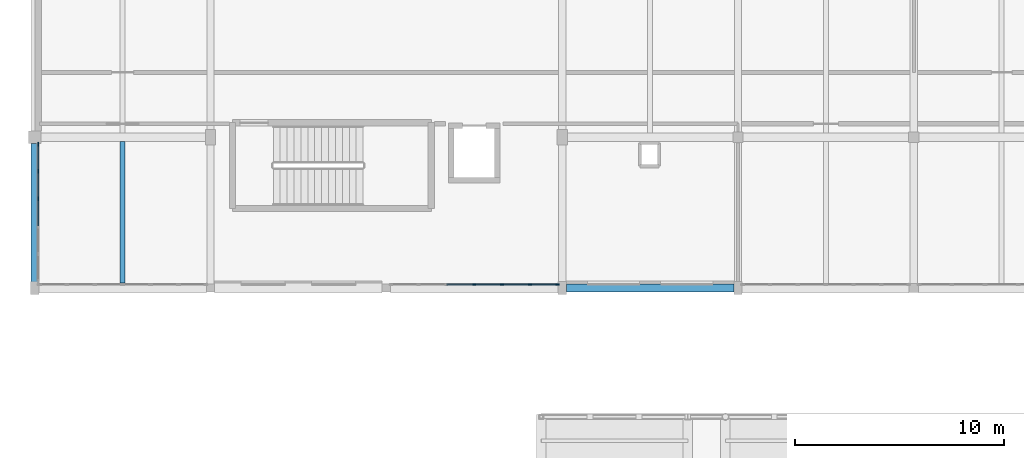
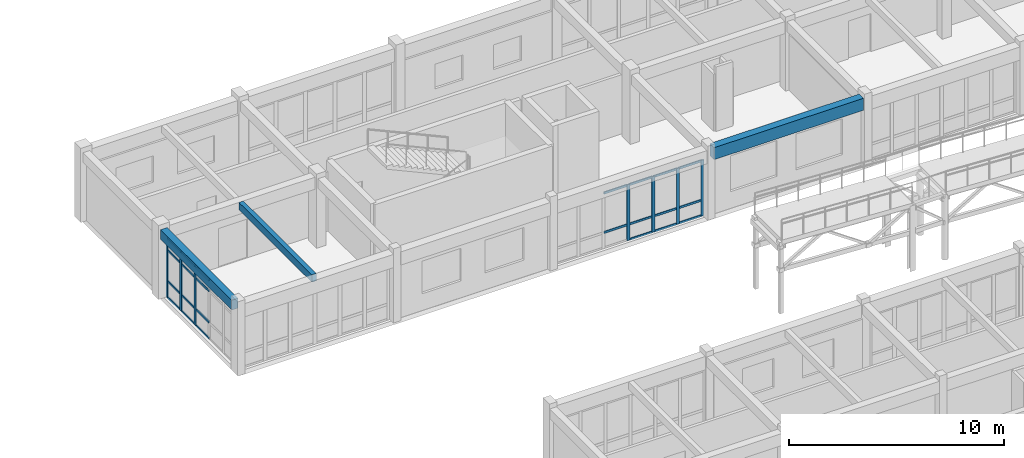
# One storey, part 26 of 89: 30 members, 3 beams, 2 elements without a shape of their own.
"""IFC4 building model written with IfcOpenShell, lengths in metres."""

from ifc_helpers import new_model, si_unit, direction, frame, origin, origin_2d, place, context, subcontext, project, spatial, rectangle, extrude, material, material_profile, profile_set, type_object, element, aggregate, save


model = new_model("IFC4")

# Units and contexts
model_context = context("Model", 3, precision=1e-05, world=origin(), true_north=direction((0.0, 1.0)))
body_context = subcontext(model_context, "Body", "Model", "MODEL_VIEW")
ifc_project = project(units=[si_unit("LENGTHUNIT", "METRE"), si_unit("AREAUNIT", "SQUARE_METRE"), si_unit("VOLUMEUNIT", "CUBIC_METRE"), si_unit("PLANEANGLEUNIT", "RADIAN"), si_unit("MASSUNIT", "GRAM", prefix="KILO")], contexts=[model_context])

# Site, building, storey
site_placement = place(None, origin())
site = spatial("IfcSite", under=ifc_project, at=site_placement, CompositionType="ELEMENT")
building_placement = place(site_placement, origin())
building = spatial("IfcBuilding", under=site, at=building_placement, Name="Malvenik Polytechnic", CompositionType="ELEMENT")
storey_placement = place(building_placement, frame((0.0, 0.0, 13.5)))
storey = spatial("IfcBuildingStorey", under=building, at=storey_placement, Name="L03", CompositionType="ELEMENT", Elevation=13.5)

# Curtain wall, members
ifc_material_1 = material(Name="Anodised aluminium 6060-T6", Category="aluminium")
curtain_wall_type_1 = type_object("IfcCurtainWallType", Name="ARC-CW-CW-02", PredefinedType="NOTDEFINED", material=ifc_material_1)
curtain_wall_1_placement = place(storey_placement, origin())
curtain_wall_1 = element("IfcCurtainWall", 1, at=curtain_wall_1_placement, inside=storey, type_object=curtain_wall_type_1, Name="Unitised Curtain Wall CW-02 L03 #203", PredefinedType="NOTDEFINED")
ifc_material_2 = material(Name="Anodised aluminium", Category="aluminium")
ifc_material_profile_1 = material_profile(ifc_material_2, rectangle(XDim=0.06005859375, YDim=0.159912109375, at=origin_2d()), Name="ALU MULLION 60x160")
ifc_profile_set_1 = profile_set([ifc_material_profile_1], Name="Anodised aluminium")
member_type_1 = type_object("IfcMemberType", Name="ARC-CWM-160", PredefinedType="MULLION", material=ifc_profile_set_1)
member_1_placement = place(storey_placement, frame((24.971923828125, 79.3701171875, 0.0), z_axis=(0.0, 0.0, 1.0), x_axis=(0.0, -1.0, 0.0)))
member_1 = element("IfcMember", 2, at=member_1_placement, type_object=member_type_1, Name="CW-02 mullion 1", PredefinedType="MULLION", context=body_context, shape_type="SweptSolid", body=[
    extrude(rectangle(XDim=0.06005859375, YDim=0.159912109375, at=origin_2d()), origin(), (0.0, 0.0, 1.0), 3.159912109375),
])
member_2_placement = place(storey_placement, frame((23.66796875, 79.3701171875, 0.0), z_axis=(0.0, 0.0, 1.0), x_axis=(0.0, -1.0, 0.0)))
member_2 = element("IfcMember", 3, at=member_2_placement, type_object=member_type_1, Name="CW-02 mullion 2", PredefinedType="MULLION", context=body_context, shape_type="SweptSolid", body=[
    extrude(rectangle(XDim=0.06005859375, YDim=0.159912109375, at=origin_2d()), origin(), (0.0, 0.0, 1.0), 3.159912109375),
])
member_3_placement = place(storey_placement, frame((22.333984375, 79.3701171875, 0.0), z_axis=(0.0, 0.0, 1.0), x_axis=(0.0, -1.0, 0.0)))
member_3 = element("IfcMember", 4, at=member_3_placement, type_object=member_type_1, Name="CW-02 mullion 3", PredefinedType="MULLION", context=body_context, shape_type="SweptSolid", body=[
    extrude(rectangle(XDim=0.06005859375, YDim=0.159912109375, at=origin_2d()), origin(), (0.0, 0.0, 1.0), 3.159912109375),
])
member_4_placement = place(storey_placement, frame((21.0, 79.3701171875, 0.0), z_axis=(0.0, 0.0, 1.0), x_axis=(0.0, -1.0, 0.0)))
member_4 = element("IfcMember", 5, at=member_4_placement, type_object=member_type_1, Name="CW-02 mullion 4", PredefinedType="MULLION", context=body_context, shape_type="SweptSolid", body=[
    extrude(rectangle(XDim=0.06005859375, YDim=0.159912109375, at=origin_2d()), origin(), (0.0, 0.0, 1.0), 3.159912109375),
])

curtain_wall_type_2 = type_object("IfcCurtainWallType", Name="ARC-CW-CW-05", PredefinedType="NOTDEFINED", material=ifc_material_1)
curtain_wall_2_placement = place(storey_placement, origin())
curtain_wall_2 = element("IfcCurtainWall", 6, at=curtain_wall_2_placement, inside=storey, type_object=curtain_wall_type_2, Name="Unitised Curtain Wall CW-05 L03 #205", PredefinedType="NOTDEFINED")
ifc_material_profile_2 = material_profile(ifc_material_2, rectangle(XDim=0.06005859375, YDim=0.179931640625, at=origin_2d()), Name="ALU MULLION 60x180")
ifc_profile_set_2 = profile_set([ifc_material_profile_2], Name="Anodised aluminium")
member_type_2 = type_object("IfcMemberType", Name="ARC-CWM-180", PredefinedType="MULLION", material=ifc_profile_set_2)
member_5_placement = place(storey_placement, frame((0.169921875, 83.46044921875, 0.0), z_axis=(0.0, 0.0, 1.0), x_axis=(-1.0, 0.0, 0.0)))
member_5 = element("IfcMember", 7, at=member_5_placement, type_object=member_type_2, Name="CW-05 mullion 4", PredefinedType="MULLION", context=body_context, shape_type="SweptSolid", body=[
    extrude(rectangle(XDim=0.06005859375, YDim=0.179931640625, at=origin_2d()), origin(), (0.0, 0.0, 1.0), 3.360107421875),
])
member_6_placement = place(storey_placement, frame((0.169921875, 84.78125, 0.0), z_axis=(0.0, 0.0, 1.0), x_axis=(-1.0, 0.0, 0.0)))
member_6 = element("IfcMember", 8, at=member_6_placement, type_object=member_type_2, Name="CW-05 mullion 5", PredefinedType="MULLION", context=body_context, shape_type="SweptSolid", body=[
    extrude(rectangle(XDim=0.06005859375, YDim=0.179931640625, at=origin_2d()), origin(), (0.0, 0.0, 1.0), 3.360107421875),
])
member_7_placement = place(storey_placement, frame((0.169921875, 86.072021484375, 0.0), z_axis=(0.0, 0.0, 1.0), x_axis=(-1.0, 0.0, 0.0)))
member_7 = element("IfcMember", 9, at=member_7_placement, type_object=member_type_2, Name="CW-05 mullion 6", PredefinedType="MULLION", context=body_context, shape_type="SweptSolid", body=[
    extrude(rectangle(XDim=0.06005859375, YDim=0.179931640625, at=origin_2d()), origin(), (0.0, 0.0, 1.0), 3.360107421875),
])

# Member
ifc_material_profile_3 = material_profile(ifc_material_2, rectangle(XDim=0.06005859375, YDim=0.1201171875, at=origin_2d()), Name="ALU TRANSOM 60x120")
ifc_profile_set_3 = profile_set([ifc_material_profile_3], Name="Anodised aluminium")
member_type_3 = type_object("IfcMemberType", Name="ARC-CWT-120", PredefinedType="USERDEFINED", material=ifc_profile_set_3)
member_8_placement = place(storey_placement, frame((24.94189453125, 79.3701171875, 0.030029296875), z_axis=(-1.0, 0.0, 0.0), x_axis=(0.0, -1.0, 0.0)))
member_8 = element("IfcMember", 10, at=member_8_placement, type_object=member_type_3, Name="CW-02 transom 1.1", ObjectType="TRANSOM", PredefinedType="USERDEFINED", context=body_context, shape_type="SweptSolid", body=[
    extrude(rectangle(XDim=0.06005859375, YDim=0.1201171875, at=origin_2d()), origin(), (0.0, 0.0, 1.0), 1.243896484375),
])

member_9_placement = place(storey_placement, frame((24.94189453125, 79.3701171875, 0.89990234375), z_axis=(-1.0, 0.0, 0.0), x_axis=(0.0, -1.0, 0.0)))
member_9 = element("IfcMember", 11, at=member_9_placement, type_object=member_type_3, Name="CW-02 transom 1.2", ObjectType="TRANSOM", PredefinedType="USERDEFINED", context=body_context, shape_type="SweptSolid", body=[
    extrude(rectangle(XDim=0.06005859375, YDim=0.1201171875, at=origin_2d()), origin(), (0.0, 0.0, 1.0), 1.243896484375),
])

member_10_placement = place(storey_placement, frame((24.94189453125, 79.3701171875, 3.1298828125), z_axis=(-1.0, 0.0, 0.0), x_axis=(0.0, -1.0, 0.0)))
member_10 = element("IfcMember", 12, at=member_10_placement, type_object=member_type_3, Name="CW-02 transom 1.3", ObjectType="TRANSOM", PredefinedType="USERDEFINED", context=body_context, shape_type="SweptSolid", body=[
    extrude(rectangle(XDim=0.06005859375, YDim=0.1201171875, at=origin_2d()), origin(), (0.0, 0.0, 1.0), 1.243896484375),
])

member_11_placement = place(storey_placement, frame((23.637939453125, 79.3701171875, 0.030029296875), z_axis=(-1.0, 0.0, 0.0), x_axis=(0.0, -1.0, 0.0)))
member_11 = element("IfcMember", 13, at=member_11_placement, type_object=member_type_3, Name="CW-02 transom 2.1", ObjectType="TRANSOM", PredefinedType="USERDEFINED", context=body_context, shape_type="SweptSolid", body=[
    extrude(rectangle(XDim=0.06005859375, YDim=0.1201171875, at=origin_2d()), origin(), (0.0, 0.0, 1.0), 1.27392578125),
])

member_12_placement = place(storey_placement, frame((23.637939453125, 79.3701171875, 0.89990234375), z_axis=(-1.0, 0.0, 0.0), x_axis=(0.0, -1.0, 0.0)))
member_12 = element("IfcMember", 14, at=member_12_placement, type_object=member_type_3, Name="CW-02 transom 2.2", ObjectType="TRANSOM", PredefinedType="USERDEFINED", context=body_context, shape_type="SweptSolid", body=[
    extrude(rectangle(XDim=0.06005859375, YDim=0.1201171875, at=origin_2d()), origin(), (0.0, 0.0, 1.0), 1.27392578125),
])

member_13_placement = place(storey_placement, frame((23.637939453125, 79.3701171875, 3.1298828125), z_axis=(-1.0, 0.0, 0.0), x_axis=(0.0, -1.0, 0.0)))
member_13 = element("IfcMember", 15, at=member_13_placement, type_object=member_type_3, Name="CW-02 transom 2.3", ObjectType="TRANSOM", PredefinedType="USERDEFINED", context=body_context, shape_type="SweptSolid", body=[
    extrude(rectangle(XDim=0.06005859375, YDim=0.1201171875, at=origin_2d()), origin(), (0.0, 0.0, 1.0), 1.27392578125),
])

member_14_placement = place(storey_placement, frame((22.303955078125, 79.3701171875, 0.030029296875), z_axis=(-1.0, 0.0, 0.0), x_axis=(0.0, -1.0, 0.0)))
member_14 = element("IfcMember", 16, at=member_14_placement, type_object=member_type_3, Name="CW-02 transom 3.1", ObjectType="TRANSOM", PredefinedType="USERDEFINED", context=body_context, shape_type="SweptSolid", body=[
    extrude(rectangle(XDim=0.06005859375, YDim=0.1201171875, at=origin_2d()), origin(), (0.0, 0.0, 1.0), 1.27392578125),
])

member_15_placement = place(storey_placement, frame((22.303955078125, 79.3701171875, 0.89990234375), z_axis=(-1.0, 0.0, 0.0), x_axis=(0.0, -1.0, 0.0)))
member_15 = element("IfcMember", 17, at=member_15_placement, type_object=member_type_3, Name="CW-02 transom 3.2", ObjectType="TRANSOM", PredefinedType="USERDEFINED", context=body_context, shape_type="SweptSolid", body=[
    extrude(rectangle(XDim=0.06005859375, YDim=0.1201171875, at=origin_2d()), origin(), (0.0, 0.0, 1.0), 1.27392578125),
])

member_16_placement = place(storey_placement, frame((22.303955078125, 79.3701171875, 3.1298828125), z_axis=(-1.0, 0.0, 0.0), x_axis=(0.0, -1.0, 0.0)))
member_16 = element("IfcMember", 18, at=member_16_placement, type_object=member_type_3, Name="CW-02 transom 3.3", ObjectType="TRANSOM", PredefinedType="USERDEFINED", context=body_context, shape_type="SweptSolid", body=[
    extrude(rectangle(XDim=0.06005859375, YDim=0.1201171875, at=origin_2d()), origin(), (0.0, 0.0, 1.0), 1.27392578125),
])

member_17_placement = place(storey_placement, frame((20.969970703125, 79.3701171875, 0.89990234375), z_axis=(-1.0, 0.0, 0.0), x_axis=(0.0, -1.0, 0.0)))
member_17 = element("IfcMember", 19, at=member_17_placement, type_object=member_type_3, Name="CW-02 transom 4.2", ObjectType="TRANSOM", PredefinedType="USERDEFINED", context=body_context, shape_type="SweptSolid", body=[
    extrude(rectangle(XDim=0.06005859375, YDim=0.1201171875, at=origin_2d()), origin(), (0.0, 0.0, 1.0), 1.27392578125),
])

member_18_placement = place(storey_placement, frame((20.969970703125, 79.3701171875, 3.1298828125), z_axis=(-1.0, 0.0, 0.0), x_axis=(0.0, -1.0, 0.0)))
member_18 = element("IfcMember", 20, at=member_18_placement, type_object=member_type_3, Name="CW-02 transom 4.3", ObjectType="TRANSOM", PredefinedType="USERDEFINED", context=body_context, shape_type="SweptSolid", body=[
    extrude(rectangle(XDim=0.06005859375, YDim=0.1201171875, at=origin_2d()), origin(), (0.0, 0.0, 1.0), 1.27392578125),
])

aggregate(curtain_wall_1, [member_1, member_2, member_3, member_4, member_8, member_9, member_10, member_11, member_12, member_13, member_14, member_15, member_16, member_17, member_18])

member_19_placement = place(storey_placement, frame((0.169921875, 82.169677734375, 0.030029296875), z_axis=(0.0, 1.0, 0.0), x_axis=(-1.0, 0.0, 0.0)))
member_19 = element("IfcMember", 21, at=member_19_placement, type_object=member_type_3, Name="CW-05 transom 3.1", ObjectType="TRANSOM", PredefinedType="USERDEFINED", context=body_context, shape_type="SweptSolid", body=[
    extrude(rectangle(XDim=0.06005859375, YDim=0.1201171875, at=origin_2d()), origin(), (0.0, 0.0, 1.0), 1.2607421875),
])

member_20_placement = place(storey_placement, frame((0.169921875, 82.169677734375, 0.949951171875), z_axis=(0.0, 1.0, 0.0), x_axis=(-1.0, 0.0, 0.0)))
member_20 = element("IfcMember", 22, at=member_20_placement, type_object=member_type_3, Name="CW-05 transom 3.2", ObjectType="TRANSOM", PredefinedType="USERDEFINED", context=body_context, shape_type="SweptSolid", body=[
    extrude(rectangle(XDim=0.06005859375, YDim=0.1201171875, at=origin_2d()), origin(), (0.0, 0.0, 1.0), 1.2607421875),
])

member_21_placement = place(storey_placement, frame((0.169921875, 82.169677734375, 2.7099609375), z_axis=(0.0, 1.0, 0.0), x_axis=(-1.0, 0.0, 0.0)))
member_21 = element("IfcMember", 23, at=member_21_placement, type_object=member_type_3, Name="CW-05 transom 3.3", ObjectType="TRANSOM", PredefinedType="USERDEFINED", context=body_context, shape_type="SweptSolid", body=[
    extrude(rectangle(XDim=0.06005859375, YDim=0.1201171875, at=origin_2d()), origin(), (0.0, 0.0, 1.0), 1.2607421875),
])

member_22_placement = place(storey_placement, frame((0.169921875, 82.169677734375, 3.330078125), z_axis=(0.0, 1.0, 0.0), x_axis=(-1.0, 0.0, 0.0)))
member_22 = element("IfcMember", 24, at=member_22_placement, type_object=member_type_3, Name="CW-05 transom 3.4", ObjectType="TRANSOM", PredefinedType="USERDEFINED", context=body_context, shape_type="SweptSolid", body=[
    extrude(rectangle(XDim=0.06005859375, YDim=0.1201171875, at=origin_2d()), origin(), (0.0, 0.0, 1.0), 1.2607421875),
])

member_23_placement = place(storey_placement, frame((0.169921875, 83.490478515625, 0.030029296875), z_axis=(0.0, 1.0, 0.0), x_axis=(-1.0, 0.0, 0.0)))
member_23 = element("IfcMember", 25, at=member_23_placement, type_object=member_type_3, Name="CW-05 transom 4.1", ObjectType="TRANSOM", PredefinedType="USERDEFINED", context=body_context, shape_type="SweptSolid", body=[
    extrude(rectangle(XDim=0.06005859375, YDim=0.1201171875, at=origin_2d()), origin(), (0.0, 0.0, 1.0), 1.2607421875),
])

member_24_placement = place(storey_placement, frame((0.169921875, 83.490478515625, 0.949951171875), z_axis=(0.0, 1.0, 0.0), x_axis=(-1.0, 0.0, 0.0)))
member_24 = element("IfcMember", 26, at=member_24_placement, type_object=member_type_3, Name="CW-05 transom 4.2", ObjectType="TRANSOM", PredefinedType="USERDEFINED", context=body_context, shape_type="SweptSolid", body=[
    extrude(rectangle(XDim=0.06005859375, YDim=0.1201171875, at=origin_2d()), origin(), (0.0, 0.0, 1.0), 1.2607421875),
])

member_25_placement = place(storey_placement, frame((0.169921875, 83.490478515625, 2.7099609375), z_axis=(0.0, 1.0, 0.0), x_axis=(-1.0, 0.0, 0.0)))
member_25 = element("IfcMember", 27, at=member_25_placement, type_object=member_type_3, Name="CW-05 transom 4.3", ObjectType="TRANSOM", PredefinedType="USERDEFINED", context=body_context, shape_type="SweptSolid", body=[
    extrude(rectangle(XDim=0.06005859375, YDim=0.1201171875, at=origin_2d()), origin(), (0.0, 0.0, 1.0), 1.2607421875),
])

member_26_placement = place(storey_placement, frame((0.169921875, 83.490478515625, 3.330078125), z_axis=(0.0, 1.0, 0.0), x_axis=(-1.0, 0.0, 0.0)))
member_26 = element("IfcMember", 28, at=member_26_placement, type_object=member_type_3, Name="CW-05 transom 4.4", ObjectType="TRANSOM", PredefinedType="USERDEFINED", context=body_context, shape_type="SweptSolid", body=[
    extrude(rectangle(XDim=0.06005859375, YDim=0.1201171875, at=origin_2d()), origin(), (0.0, 0.0, 1.0), 1.2607421875),
])

member_27_placement = place(storey_placement, frame((0.169921875, 84.811279296875, 0.030029296875), z_axis=(0.0, 1.0, 0.0), x_axis=(-1.0, 0.0, 0.0)))
member_27 = element("IfcMember", 29, at=member_27_placement, type_object=member_type_3, Name="CW-05 transom 5.1", ObjectType="TRANSOM", PredefinedType="USERDEFINED", context=body_context, shape_type="SweptSolid", body=[
    extrude(rectangle(XDim=0.06005859375, YDim=0.1201171875, at=origin_2d()), origin(), (0.0, 0.0, 1.0), 1.230712890625),
])

member_28_placement = place(storey_placement, frame((0.169921875, 84.811279296875, 0.949951171875), z_axis=(0.0, 1.0, 0.0), x_axis=(-1.0, 0.0, 0.0)))
member_28 = element("IfcMember", 30, at=member_28_placement, type_object=member_type_3, Name="CW-05 transom 5.2", ObjectType="TRANSOM", PredefinedType="USERDEFINED", context=body_context, shape_type="SweptSolid", body=[
    extrude(rectangle(XDim=0.06005859375, YDim=0.1201171875, at=origin_2d()), origin(), (0.0, 0.0, 1.0), 1.230712890625),
])

member_29_placement = place(storey_placement, frame((0.169921875, 84.811279296875, 2.7099609375), z_axis=(0.0, 1.0, 0.0), x_axis=(-1.0, 0.0, 0.0)))
member_29 = element("IfcMember", 31, at=member_29_placement, type_object=member_type_3, Name="CW-05 transom 5.3", ObjectType="TRANSOM", PredefinedType="USERDEFINED", context=body_context, shape_type="SweptSolid", body=[
    extrude(rectangle(XDim=0.06005859375, YDim=0.1201171875, at=origin_2d()), origin(), (0.0, 0.0, 1.0), 1.230712890625),
])

member_30_placement = place(storey_placement, frame((0.169921875, 84.811279296875, 3.330078125), z_axis=(0.0, 1.0, 0.0), x_axis=(-1.0, 0.0, 0.0)))
member_30 = element("IfcMember", 32, at=member_30_placement, type_object=member_type_3, Name="CW-05 transom 5.4", ObjectType="TRANSOM", PredefinedType="USERDEFINED", context=body_context, shape_type="SweptSolid", body=[
    extrude(rectangle(XDim=0.06005859375, YDim=0.1201171875, at=origin_2d()), origin(), (0.0, 0.0, 1.0), 1.230712890625),
])

aggregate(curtain_wall_2, [member_5, member_6, member_7, member_19, member_20, member_21, member_22, member_23, member_24, member_25, member_26, member_27, member_28, member_29, member_30])

# Beams
ifc_material_3 = material(Name="Concrete C35/45", Category="concrete")
ifc_material_profile_4 = material_profile(ifc_material_3, rectangle(XDim=0.39990234375, YDim=0.679931640625, at=origin_2d()), Name="RC BM 400x680")
ifc_profile_set_4 = profile_set([ifc_material_profile_4], Name="Concrete C35/45")
beam_type_1 = type_object("IfcBeamType", Name="STR-BM-B-05", PredefinedType="BEAM", material=ifc_profile_set_4)
beam_1_placement = place(storey_placement, frame((25.39794921875, 79.199951171875, 3.580078125), z_axis=(1.0, 0.0, 0.0), x_axis=(0.0, 1.0, 0.0)))
element("IfcBeam", 33, at=beam_1_placement, inside=storey, type_object=beam_type_1, Name="Primary Beam B-05 L03 #1637", PredefinedType="BEAM", context=body_context, shape_type="SweptSolid", body=[
    extrude(rectangle(XDim=0.39990234375, YDim=0.679931640625, at=origin_2d()), origin(), (0.0, 0.0, 1.0), 8.004150390625),
])
ifc_material_profile_5 = material_profile(ifc_material_3, rectangle(XDim=0.35009765625, YDim=0.550048828125, at=origin_2d()), Name="RC BM 350x550")
ifc_profile_set_5 = profile_set([ifc_material_profile_5], Name="Concrete C35/45")
beam_type_2 = type_object("IfcBeamType", Name="STR-BM-B-08", PredefinedType="BEAM", material=ifc_profile_set_5)
beam_2_placement = place(storey_placement, frame((0.0, 79.498046875, 3.64501953125), z_axis=(0.0, 1.0, 0.0), x_axis=(-1.0, 0.0, 0.0)))
element("IfcBeam", 34, at=beam_2_placement, inside=storey, type_object=beam_type_2, Name="Transverse Beam B-08 L03 #1719", PredefinedType="BEAM", context=body_context, shape_type="SweptSolid", body=[
    extrude(rectangle(XDim=0.35009765625, YDim=0.550048828125, at=origin_2d()), origin(), (0.0, 0.0, 1.0), 6.60400390625),
])
ifc_material_4 = material(Name="Concrete C30/37", Category="concrete")
ifc_material_profile_6 = material_profile(ifc_material_4, rectangle(XDim=0.239990234375, YDim=0.419921875, at=origin_2d()), Name="RC JST 240x420")
ifc_profile_set_6 = profile_set([ifc_material_profile_6], Name="Concrete C30/37")
beam_type_3 = type_object("IfcBeamType", Name="STR-BM-J-03", PredefinedType="JOIST", material=ifc_profile_set_6)
beam_3_placement = place(storey_placement, frame((4.199951171875, 79.427978515625, 3.7099609375), z_axis=(0.0, 1.0, 0.0), x_axis=(-1.0, 0.0, 0.0)))
element("IfcBeam", 35, at=beam_3_placement, inside=storey, type_object=beam_type_3, Name="Secondary Rib Joist J-03 L03 #1783", PredefinedType="JOIST", context=body_context, shape_type="SweptSolid", body=[
    extrude(rectangle(XDim=0.239990234375, YDim=0.419921875, at=origin_2d()), origin(), (0.0, 0.0, 1.0), 6.77392578125),
])

save(model, "model.ifc")
